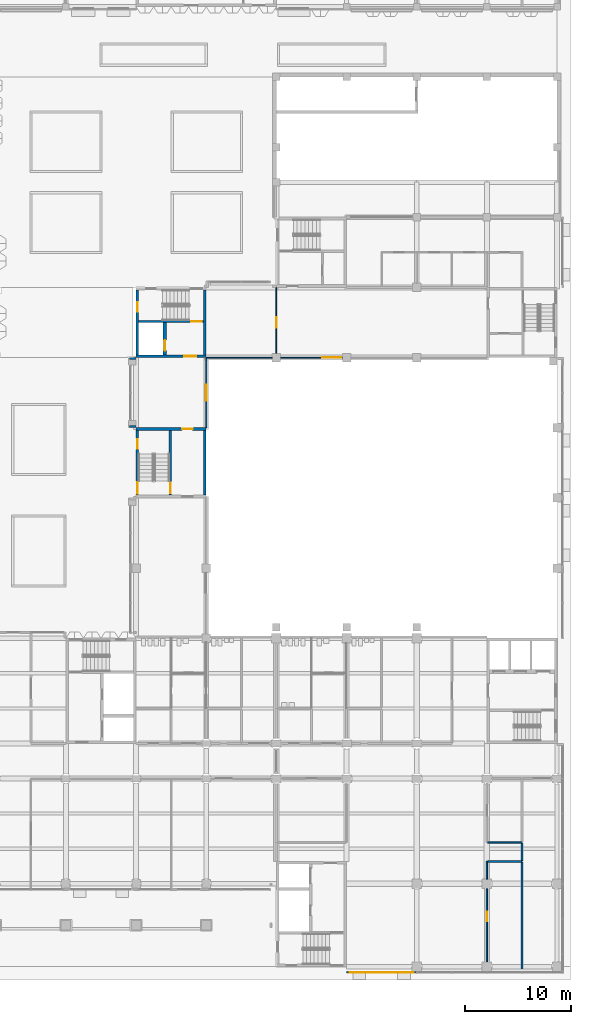
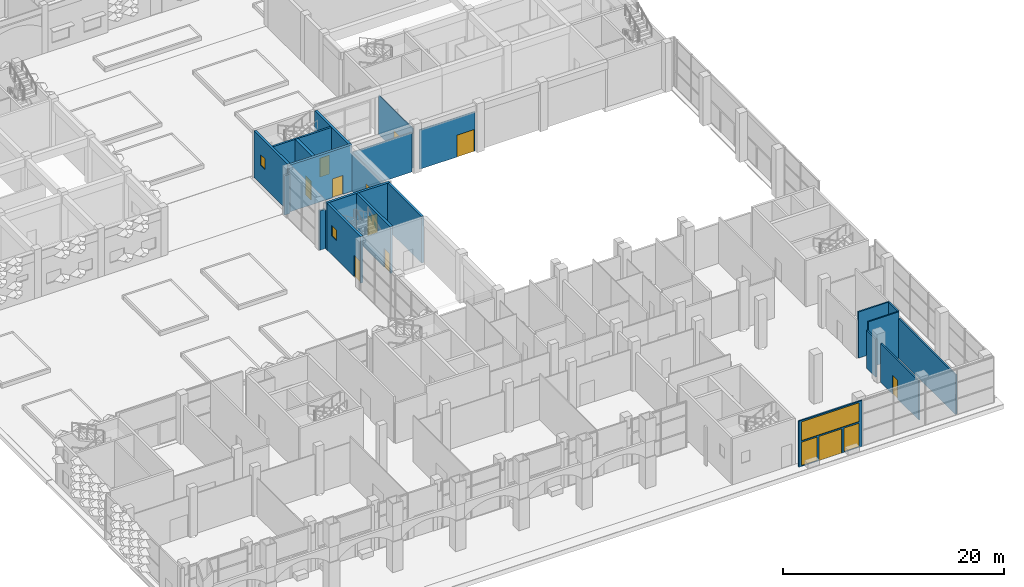
# One storey, part 32 of 85: 22 walls, 11 doors, 5 windows, 16 openings.
"""IFC4 building model written with IfcOpenShell, lengths in metres."""

from ifc_helpers import new_model, si_unit, direction, frame, frame_2d, origin, place, context, subcontext, project, spatial, rectangle, extrude, material, layer, layer_set, type_object, element, fill, save


model = new_model("IFC4")

# Units and contexts
model_context = context("Model", 3, precision=1e-05, world=origin(), true_north=direction((0.0, 1.0)))
body_context = subcontext(model_context, "Body", "Model", "MODEL_VIEW")
ifc_project = project(units=[si_unit("LENGTHUNIT", "METRE"), si_unit("AREAUNIT", "SQUARE_METRE"), si_unit("VOLUMEUNIT", "CUBIC_METRE"), si_unit("PLANEANGLEUNIT", "RADIAN"), si_unit("MASSUNIT", "GRAM", prefix="KILO")], contexts=[model_context])

# Site, building, storey
site_placement = place(None, origin())
site = spatial("IfcSite", under=ifc_project, at=site_placement, CompositionType="ELEMENT")
building_placement = place(site_placement, origin())
building = spatial("IfcBuilding", under=site, at=building_placement, Name="Lantern Court Research Institute", CompositionType="ELEMENT")
storey_placement = place(building_placement, origin())
storey = spatial("IfcBuildingStorey", under=building, at=storey_placement, Name="L00", CompositionType="ELEMENT", Elevation=0.0)

# Wall, openings, windows, door
ifc_material_1 = material(Name="Aluminium alloy 6063-T6", Category="aluminium")
ifc_layer_1 = layer(ifc_material_1, 0.14990234375)
ifc_layer_set_1 = layer_set([ifc_layer_1], Name="Aluminium alloy 6063-T6")
wall_type_1 = type_object("IfcWallType", Name="Entrance screen wall 150 aluminium", PredefinedType="STANDARD", material=ifc_layer_set_1)
wall_1_placement = place(storey_placement, frame((66.0, -8.324951171875, 0.0), z_axis=(0.0, 0.0, 1.0), x_axis=(-1.0, 0.0, 0.0)))
wall_1 = element("IfcWall", 1, at=wall_1_placement, inside=storey, type_object=wall_type_1, Name="Exterior wall EW046", PredefinedType="STANDARD", context=body_context, shape_type="SweptSolid", body=[
    extrude(rectangle(XDim=6.60009765625, YDim=0.14990234375, at=frame_2d((3.300048828125, 0.0))), origin(), (0.0, 0.0, 1.0), 5.10009765625),
])
opening_1_placement = place(wall_1_placement, frame((2.10009765625, 0.0, 0.0)))
opening_1 = element("IfcOpeningElement", 2, at=opening_1_placement, cuts=wall_1, Name="Opening D5081", PredefinedType="OPENING", context=body_context, shape_type="SweptSolid", body=[
    extrude(rectangle(XDim=2.39990234375, YDim=2.699951171875, at=frame_2d((1.199951171875, 1.35009765625))), frame((0.0, 0.0849609375, 0.0), z_axis=(0.0, -1.0, 0.0), x_axis=(1.0, 0.0, 0.0)), (0.0, 0.0, 1.0), 0.169921875),
])
opening_2_placement = place(wall_1_placement, frame((4.699951171875, 0.0, 0.10009765625)))
opening_2 = element("IfcOpeningElement", 3, at=opening_2_placement, cuts=wall_1, Name="Opening W11", PredefinedType="OPENING", context=body_context, shape_type="SweptSolid", body=[
    extrude(rectangle(XDim=1.60009765625, YDim=2.60009765625, at=frame_2d((0.800048828125, 1.300048828125))), frame((0.0, 0.0849609375, 0.0), z_axis=(0.0, -1.0, 0.0), x_axis=(1.0, 0.0, 0.0)), (0.0, 0.0, 1.0), 0.169921875),
])
opening_3_placement = place(wall_1_placement, frame((0.300048828125, 0.0, 0.10009765625)))
opening_3 = element("IfcOpeningElement", 4, at=opening_3_placement, cuts=wall_1, Name="Opening W11", PredefinedType="OPENING", context=body_context, shape_type="SweptSolid", body=[
    extrude(rectangle(XDim=1.60009765625, YDim=2.60009765625, at=frame_2d((0.800048828125, 1.300048828125))), frame((0.0, 0.0849609375, 0.0), z_axis=(0.0, -1.0, 0.0), x_axis=(1.0, 0.0, 0.0)), (0.0, 0.0, 1.0), 0.169921875),
])
opening_4_placement = place(wall_1_placement, frame((0.300048828125, 0.0, 2.85009765625)))
opening_4 = element("IfcOpeningElement", 5, at=opening_4_placement, cuts=wall_1, Name="Opening W12", PredefinedType="OPENING", context=body_context, shape_type="SweptSolid", body=[
    extrude(rectangle(XDim=6.0, YDim=2.10009765625, at=frame_2d((3.0, 1.050048828125))), frame((0.0, 0.0849609375, 0.0), z_axis=(0.0, -1.0, 0.0), x_axis=(1.0, 0.0, 0.0)), (0.0, 0.0, 1.0), 0.169921875),
])
ifc_material_2 = material(Name="Aluminium frame with laminated low-emissivity glazing", Category="aluminium")
window_type_1 = type_object("IfcWindowType", Name="Entrance clerestory 6000 x 2100", PartitioningType="SINGLE_PANEL", PredefinedType="WINDOW", material=ifc_material_2)
window_1_placement = place(opening_4_placement, origin())
window_1 = element("IfcWindow", 6, at=window_1_placement, inside=storey, type_object=window_type_1, Name="Window W12 V5S L00", OverallHeight=2.10009765625, OverallWidth=6.0, PartitioningType="SINGLE_PANEL", PredefinedType="WINDOW", context=body_context, shape_type="SweptSolid", body=[
    extrude(rectangle(XDim=6.0, YDim=2.10009765625, at=frame_2d((3.0, 1.050048828125))), frame((0.0, 0.030029296875, 0.0), z_axis=(0.0, -1.0, 0.0), x_axis=(1.0, 0.0, 0.0)), (0.0, 0.0, 1.0), 0.06005859375),
])
fill(opening_4, window_1)
ifc_material_3 = material(Name="Aluminium frame with laminated glass", Category="aluminium")
door_type_1 = type_object("IfcDoorType", Name="Entrance door pair 2400 x 2700 aluminium glazed", OperationType="NOTDEFINED", PredefinedType="DOOR", material=ifc_material_3)
door_1_placement = place(opening_1_placement, origin())
door_1 = element("IfcDoor", 7, at=door_1_placement, inside=storey, type_object=door_type_1, Name="Exterior door D5081", OperationType="DOUBLE_DOOR_SINGLE_SWING", OverallHeight=2.699951171875, OverallWidth=2.39990234375, PredefinedType="DOOR", context=body_context, shape_type="SweptSolid", body=[
    extrude(rectangle(XDim=2.39990234375, YDim=2.699951171875, at=frame_2d((1.199951171875, 1.35009765625))), frame((0.0, 0.02490234375, 0.0), z_axis=(0.0, -1.0, 0.0), x_axis=(1.0, 0.0, 0.0)), (0.0, 0.0, 1.0), 0.050048828125),
])
fill(opening_1, door_1)
ifc_material_4 = material(Name="Aluminium frame with laminated low-emissivity glazing", Category="aluminium")
window_type_2 = type_object("IfcWindowType", Name="Entrance sidelight 1600 x 2600", PartitioningType="SINGLE_PANEL", PredefinedType="WINDOW", material=ifc_material_4)
window_2_placement = place(opening_2_placement, origin())
window_2 = element("IfcWindow", 8, at=window_2_placement, inside=storey, type_object=window_type_2, Name="Window W11 V5S L00", OverallHeight=2.60009765625, OverallWidth=1.60009765625, PartitioningType="SINGLE_PANEL", PredefinedType="WINDOW", context=body_context, shape_type="SweptSolid", body=[
    extrude(rectangle(XDim=1.60009765625, YDim=2.60009765625, at=frame_2d((0.800048828125, 1.300048828125))), frame((0.0, 0.030029296875, 0.0), z_axis=(0.0, -1.0, 0.0), x_axis=(1.0, 0.0, 0.0)), (0.0, 0.0, 1.0), 0.06005859375),
])
fill(opening_2, window_2)
window_3_placement = place(opening_3_placement, origin())
window_3 = element("IfcWindow", 9, at=window_3_placement, inside=storey, type_object=window_type_2, Name="Window W11 V5S L00", OverallHeight=2.60009765625, OverallWidth=1.60009765625, PartitioningType="SINGLE_PANEL", PredefinedType="WINDOW", context=body_context, shape_type="SweptSolid", body=[
    extrude(rectangle(XDim=1.60009765625, YDim=2.60009765625, at=frame_2d((0.800048828125, 1.300048828125))), frame((0.0, 0.030029296875, 0.0), z_axis=(0.0, -1.0, 0.0), x_axis=(1.0, 0.0, 0.0)), (0.0, 0.0, 1.0), 0.06005859375),
])
fill(opening_3, window_3)

# Wall
ifc_material_5 = material(Name="Fire-resistant laminated glass in aluminium frame", Category="aluminium")
ifc_layer_2 = layer(ifc_material_5, 0.10009765625)
ifc_layer_set_2 = layer_set([ifc_layer_2], Name="Fire-resistant laminated glass in aluminium frame")
wall_type_2 = type_object("IfcWallType", Name="Glazed screen 100 mm EI 60", PredefinedType="PARTITIONING", material=ifc_layer_set_2)
wall_2_placement = place(storey_placement, frame((46.199951171875, 49.5, 0.0), z_axis=(0.0, 0.0, 1.0), x_axis=(1.0, 0.0, 0.0)))
element("IfcWall", 10, at=wall_2_placement, inside=storey, type_object=wall_type_2, Name="Wall V2-L00-006", PredefinedType="PARTITIONING", context=body_context, shape_type="SweptSolid", body=[
    extrude(rectangle(XDim=6.199951171875, YDim=0.10009765625, at=frame_2d((3.10009765625, 0.0))), origin(), (0.0, 0.0, 1.0), 4.35009765625),
])

# Wall, opening, door
wall_3_placement = place(storey_placement, frame((59.0, 49.5, 0.0), z_axis=(0.0, 0.0, 1.0), x_axis=(-1.0, 0.0, 0.0)))
wall_3 = element("IfcWall", 11, at=wall_3_placement, inside=storey, type_object=wall_type_2, Name="Wall V2-L00-007", PredefinedType="PARTITIONING", context=body_context, shape_type="SweptSolid", body=[
    extrude(rectangle(XDim=5.800048828125, YDim=0.10009765625, at=frame_2d((2.89990234375, 0.0))), origin(), (0.0, 0.0, 1.0), 4.35009765625),
])
opening_5_placement = place(wall_3_placement, frame((0.10009765625, 0.0, 0.0)))
opening_5 = element("IfcOpeningElement", 12, at=opening_5_placement, cuts=wall_3, Name="Opening D2001", PredefinedType="OPENING", context=body_context, shape_type="SweptSolid", body=[
    extrude(rectangle(XDim=1.800048828125, YDim=2.39990234375, at=frame_2d((0.89990234375, 1.199951171875))), frame((0.0, 0.06005859375, 0.0), z_axis=(0.0, -1.0, 0.0), x_axis=(1.0, 0.0, 0.0)), (0.0, 0.0, 1.0), 0.1201171875),
])
ifc_material_6 = material(Name="Fire-resistant glazed aluminium door leaf", Category="aluminium")
door_type_2 = type_object("IfcDoorType", Name="Door 1800 x 2400 glazed screen pair FD30S", OperationType="DOUBLE_DOOR_SINGLE_SWING", PredefinedType="DOOR", material=ifc_material_6)
door_2_placement = place(opening_5_placement, origin())
door_2 = element("IfcDoor", 13, at=door_2_placement, inside=storey, type_object=door_type_2, Name="Door D2001", OperationType="DOUBLE_DOOR_SINGLE_SWING", OverallHeight=2.39990234375, OverallWidth=1.800048828125, PredefinedType="DOOR", context=body_context, shape_type="SweptSolid", body=[
    extrude(rectangle(XDim=1.800048828125, YDim=2.39990234375, at=frame_2d((0.89990234375, 1.199951171875))), frame((0.0, 0.02490234375, 0.0), z_axis=(0.0, -1.0, 0.0), x_axis=(1.0, 0.0, 0.0)), (0.0, 0.0, 1.0), 0.050048828125),
])
fill(opening_5, door_2)

wall_4_placement = place(storey_placement, frame((46.199951171875, 42.89990234375, 0.0), z_axis=(0.0, 0.0, 1.0), x_axis=(0.0, 1.0, 0.0)))
wall_4 = element("IfcWall", 14, at=wall_4_placement, inside=storey, type_object=wall_type_2, Name="Wall V2-L00-012", PredefinedType="PARTITIONING", context=body_context, shape_type="SweptSolid", body=[
    extrude(rectangle(XDim=6.550048828125, YDim=0.10009765625, at=frame_2d((3.27490234375, 0.0))), origin(), (0.0, 0.0, 1.0), 4.35009765625),
])
opening_6_placement = place(wall_4_placement, frame((2.550048828125, 0.0, 0.0)))
opening_6 = element("IfcOpeningElement", 15, at=opening_6_placement, cuts=wall_4, Name="Opening D2003", PredefinedType="OPENING", context=body_context, shape_type="SweptSolid", body=[
    extrude(rectangle(XDim=1.5, YDim=2.39990234375, at=frame_2d((0.75, 1.199951171875))), frame((0.0, 0.06005859375, 0.0), z_axis=(0.0, -1.0, 0.0), x_axis=(1.0, 0.0, 0.0)), (0.0, 0.0, 1.0), 0.1201171875),
])
ifc_material_7 = material(Name="Fire-resistant glazed aluminium door leaf", Category="aluminium")
door_type_3 = type_object("IfcDoorType", Name="Door 1500 x 2400 glazed screen pair FD30S", OperationType="DOUBLE_DOOR_SINGLE_SWING", PredefinedType="DOOR", material=ifc_material_7)
door_3_placement = place(opening_6_placement, origin())
door_3 = element("IfcDoor", 16, at=door_3_placement, inside=storey, type_object=door_type_3, Name="Door D2003", OperationType="DOUBLE_DOOR_SINGLE_SWING", OverallHeight=2.39990234375, OverallWidth=1.5, PredefinedType="DOOR", context=body_context, shape_type="SweptSolid", body=[
    extrude(rectangle(XDim=1.5, YDim=2.39990234375, at=frame_2d((0.75, 1.199951171875))), frame((0.0, 0.02490234375, 0.0), z_axis=(0.0, -1.0, 0.0), x_axis=(1.0, 0.0, 0.0)), (0.0, 0.0, 1.0), 0.050048828125),
])
fill(opening_6, door_3)

wall_5_placement = place(storey_placement, frame((52.800048828125, 49.89990234375, 0.0), z_axis=(0.0, 0.0, 1.0), x_axis=(0.0, 1.0, 0.0)))
wall_5 = element("IfcWall", 17, at=wall_5_placement, inside=storey, type_object=wall_type_2, Name="Wall V2-L00-013", PredefinedType="PARTITIONING", context=body_context, shape_type="SweptSolid", body=[
    extrude(rectangle(XDim=6.2001953125, YDim=0.10009765625, at=frame_2d((3.10009765625, 0.0))), origin(), (0.0, 0.0, 1.0), 4.35009765625),
])
opening_7_placement = place(wall_5_placement, frame((2.39990234375, 0.0, 0.0)))
opening_7 = element("IfcOpeningElement", 18, at=opening_7_placement, cuts=wall_5, Name="Opening D2004", PredefinedType="OPENING", context=body_context, shape_type="SweptSolid", body=[
    extrude(rectangle(XDim=1.0, YDim=2.10009765625, at=frame_2d((0.5, 1.050048828125))), frame((0.0, 0.06005859375, 0.0), z_axis=(0.0, -1.0, 0.0), x_axis=(1.0, 0.0, 0.0)), (0.0, 0.0, 1.0), 0.1201171875),
])
ifc_material_8 = material(Name="Coated metal door leaf")
door_type_4 = type_object("IfcDoorType", Name="Door 1000 x 2100 plant FD60", OperationType="NOTDEFINED", PredefinedType="DOOR", material=ifc_material_8)
door_4_placement = place(opening_7_placement, origin())
door_4 = element("IfcDoor", 19, at=door_4_placement, inside=storey, type_object=door_type_4, Name="Door D2004", OperationType="SINGLE_SWING_LEFT", OverallHeight=2.10009765625, OverallWidth=1.0, PredefinedType="DOOR", context=body_context, shape_type="SweptSolid", body=[
    extrude(rectangle(XDim=1.0, YDim=2.10009765625, at=frame_2d((0.5, 1.050048828125))), frame((0.0, 0.02490234375, 0.0), z_axis=(0.0, -1.0, 0.0), x_axis=(1.0, 0.0, 0.0)), (0.0, 0.0, 1.0), 0.050048828125),
])
fill(opening_7, door_4)

ifc_material_9 = material(Name="Fire-rated gypsum board partition, mineral wool filled")
ifc_layer_3 = layer(ifc_material_9, 0.14990234375)
ifc_layer_set_3 = layer_set([ifc_layer_3], Name="Fire-rated gypsum board partition, mineral wool filled")
wall_type_3 = type_object("IfcWallType", Name="Laboratory partition 150 EI 60", PredefinedType="PARTITIONING", material=ifc_layer_set_3)
wall_6_placement = place(storey_placement, frame((72.60009765625, -0.449951171875, 0.0), z_axis=(0.0, 0.0, 1.0), x_axis=(0.0, -1.0, 0.0)))
wall_6 = element("IfcWall", 20, at=wall_6_placement, inside=storey, type_object=wall_type_3, Name="Laboratory partition 150 EI 60", PredefinedType="PARTITIONING", context=body_context, shape_type="SweptSolid", body=[
    extrude(rectangle(XDim=6.900146484375, YDim=0.14990234375, at=frame_2d((3.4501953125, 0.0))), origin(), (0.0, 0.0, 1.0), 4.300048828125),
])
opening_8_placement = place(wall_6_placement, frame((2.175048828125, 0.0, 0.0)))
opening_8 = element("IfcOpeningElement", 21, at=opening_8_placement, cuts=wall_6, Name="Opening D5002", PredefinedType="OPENING", context=body_context, shape_type="SweptSolid", body=[
    extrude(rectangle(XDim=0.89990234375, YDim=2.10009765625, at=frame_2d((0.449951171875, 1.050048828125))), frame((0.0, 0.0849609375, 0.0), z_axis=(0.0, -1.0, 0.0), x_axis=(1.0, 0.0, 0.0)), (0.0, 0.0, 1.0), 0.169921875),
])
ifc_material_10 = material(Name="Solid-core timber door leaf", Category="wood")
ifc_layer_4 = layer(ifc_material_10, 0.053955078125)
ifc_layer_set_4 = layer_set([ifc_layer_4], Name="Solid-core timber door leaf")
door_type_5 = type_object("IfcDoorType", Name="Security door 900 x 2100 single FD30S", OperationType="NOTDEFINED", PredefinedType="DOOR", material=ifc_layer_set_4)
door_5_placement = place(opening_8_placement, origin())
door_5 = element("IfcDoor", 22, at=door_5_placement, inside=storey, type_object=door_type_5, Name="Door D5002", OperationType="SINGLE_SWING_RIGHT", OverallHeight=2.10009765625, OverallWidth=0.89990234375, PredefinedType="DOOR", context=body_context, shape_type="SweptSolid", body=[
    extrude(rectangle(XDim=0.89990234375, YDim=2.10009765625, at=frame_2d((0.449951171875, 1.050048828125))), frame((0.0, 0.02685546875, 0.0), z_axis=(0.0, -1.0, 0.0), x_axis=(1.0, 0.0, 0.0)), (0.0, 0.0, 1.0), 0.053955078125),
])
fill(opening_8, door_5)

# Walls
wall_7_placement = place(storey_placement, frame((72.60009765625, 0.449951171875, 0.0), z_axis=(0.0, 0.0, 1.0), x_axis=(0.0, 1.0, 0.0)))
element("IfcWall", 23, at=wall_7_placement, inside=storey, type_object=wall_type_3, Name="Laboratory partition 150 EI 60", PredefinedType="PARTITIONING", context=body_context, shape_type="SweptSolid", body=[
    extrude(rectangle(XDim=1.650146484375, YDim=0.14990234375, at=frame_2d((0.8251953125, 0.0))), origin(), (0.0, 0.0, 1.0), 4.199951171875),
])
wall_8_placement = place(storey_placement, frame((75.89990234375, 2.10009765625, 0.0), z_axis=(0.0, 0.0, 1.0), x_axis=(-1.0, 0.0, 0.0)))
element("IfcWall", 24, at=wall_8_placement, inside=storey, type_object=wall_type_3, Name="Laboratory partition 150 EI 60", PredefinedType="PARTITIONING", context=body_context, shape_type="SweptSolid", body=[
    extrude(rectangle(XDim=3.224853515625, YDim=0.14990234375, at=frame_2d((1.6123046875, 0.0))), origin(), (0.0, 0.0, 1.0), 5.10009765625),
])
wall_9_placement = place(storey_placement, frame((75.89990234375, -8.25, 0.0), z_axis=(0.0, 0.0, 1.0), x_axis=(0.0, 1.0, 0.0)))
element("IfcWall", 25, at=wall_9_placement, inside=storey, type_object=wall_type_3, Name="Laboratory partition 150 EI 60", PredefinedType="PARTITIONING", context=body_context, shape_type="SweptSolid", body=[
    extrude(rectangle(XDim=10.27490234375, YDim=0.14990234375, at=frame_2d((5.137451171875, 0.0))), origin(), (0.0, 0.0, 1.0), 4.39990234375),
])
wall_10_placement = place(storey_placement, frame((75.89990234375, 3.89990234375, 0.0), z_axis=(0.0, 0.0, 1.0), x_axis=(-1.0, 0.0, 0.0)))
element("IfcWall", 26, at=wall_10_placement, inside=storey, type_object=wall_type_3, Name="Laboratory partition 150 EI 60", PredefinedType="PARTITIONING", context=body_context, shape_type="SweptSolid", body=[
    extrude(rectangle(XDim=3.224853515625, YDim=0.14990234375, at=frame_2d((1.6123046875, 0.0))), origin(), (0.0, 0.0, 1.0), 5.10009765625),
])
wall_11_placement = place(storey_placement, frame((75.89990234375, 2.175048828125, 0.0), z_axis=(0.0, 0.0, 1.0), x_axis=(0.0, 1.0, 0.0)))
element("IfcWall", 27, at=wall_11_placement, inside=storey, type_object=wall_type_3, Name="Laboratory partition 150 EI 60", PredefinedType="PARTITIONING", context=body_context, shape_type="SweptSolid", body=[
    extrude(rectangle(XDim=1.64990234375, YDim=0.14990234375, at=frame_2d((0.824951171875, 0.0))), origin(), (0.0, 0.0, 1.0), 5.10009765625),
])

# Wall, opening, door
ifc_material_11 = material(Name="Concrete C40/50", Category="concrete")
ifc_layer_5 = layer(ifc_material_11, 0.25)
ifc_layer_set_5 = layer_set([ifc_layer_5], Name="Concrete C40/50")
wall_type_4 = type_object("IfcWallType", Name="RC core wall 250", PredefinedType="SHEAR", material=ifc_layer_set_5)
wall_12_placement = place(storey_placement, frame((39.60009765625, 49.625, 0.0), z_axis=(0.0, 0.0, 1.0), x_axis=(1.0, 0.0, 0.0)))
wall_12 = element("IfcWall", 28, at=wall_12_placement, inside=storey, type_object=wall_type_4, Name="South wall of core HC-A", PredefinedType="SHEAR", context=body_context, shape_type="SweptSolid", body=[
    extrude(rectangle(XDim=6.599853515625, YDim=0.25, at=frame_2d((3.2998046875, 0.0))), origin(), (0.0, 0.0, 1.0), 5.14990234375),
])
opening_9_placement = place(wall_12_placement, frame((4.550048828125, 0.0, 0.0)))
opening_9 = element("IfcOpeningElement", 29, at=opening_9_placement, cuts=wall_12, Name="Opening D7303", PredefinedType="OPENING", context=body_context, shape_type="SweptSolid", body=[
    extrude(rectangle(XDim=1.10009765625, YDim=2.10009765625, at=frame_2d((0.550048828125, 1.050048828125))), frame((0.0, 0.135009765625, 0.0), z_axis=(0.0, -1.0, 0.0), x_axis=(1.0, 0.0, 0.0)), (0.0, 0.0, 1.0), 0.27001953125),
])
ifc_material_12 = material(Name="Steel fire door leaf with smoke seals", Category="steel")
door_type_6 = type_object("IfcDoorType", Name="Door 1100 x 2100 fire rated FD60S", OperationType="NOTDEFINED", PredefinedType="DOOR", material=ifc_material_12)
door_6_placement = place(opening_9_placement, origin())
door_6 = element("IfcDoor", 30, at=door_6_placement, inside=storey, type_object=door_type_6, Name="Lobby door", OperationType="SINGLE_SWING_LEFT", OverallHeight=2.10009765625, OverallWidth=1.10009765625, PredefinedType="DOOR", context=body_context, shape_type="SweptSolid", body=[
    extrude(rectangle(XDim=1.10009765625, YDim=2.10009765625, at=frame_2d((0.550048828125, 1.050048828125))), frame((0.0, 0.02490234375, 0.0), z_axis=(0.0, -1.0, 0.0), x_axis=(1.0, 0.0, 0.0)), (0.0, 0.0, 1.0), 0.050048828125),
])
fill(opening_9, door_6)

# Wall
wall_13_placement = place(storey_placement, frame((46.074951171875, 49.75, 0.0), z_axis=(0.0, 0.0, 1.0), x_axis=(0.0, 1.0, 0.0)))
element("IfcWall", 31, at=wall_13_placement, inside=storey, type_object=wall_type_4, Name="East wall of core HC-A", PredefinedType="SHEAR", context=body_context, shape_type="SweptSolid", body=[
    extrude(rectangle(XDim=6.10009765625, YDim=0.25, at=frame_2d((3.050048828125, 0.0))), origin(), (0.0, 0.0, 1.0), 5.14990234375),
])

# Wall, opening, door
wall_14_placement = place(storey_placement, frame((39.60009765625, 42.77490234375, 0.0), z_axis=(0.0, 0.0, 1.0), x_axis=(1.0, 0.0, 0.0)))
wall_14 = element("IfcWall", 32, at=wall_14_placement, inside=storey, type_object=wall_type_4, Name="North wall of core HC-C", PredefinedType="SHEAR", context=body_context, shape_type="SweptSolid", body=[
    extrude(rectangle(XDim=6.599853515625, YDim=0.25, at=frame_2d((3.2998046875, 0.0))), origin(), (0.0, 0.0, 1.0), 5.14990234375),
])
opening_10_placement = place(wall_14_placement, frame((4.324951171875, 0.0, 0.0)))
opening_10 = element("IfcOpeningElement", 33, at=opening_10_placement, cuts=wall_14, Name="Opening D7324", PredefinedType="OPENING", context=body_context, shape_type="SweptSolid", body=[
    extrude(rectangle(XDim=1.0, YDim=2.10009765625, at=frame_2d((0.5, 1.050048828125))), frame((0.0, 0.135009765625, 0.0), z_axis=(0.0, -1.0, 0.0), x_axis=(1.0, 0.0, 0.0)), (0.0, 0.0, 1.0), 0.27001953125),
])
ifc_material_13 = material(Name="Steel fire door leaf with smoke seals", Category="steel")
door_type_7 = type_object("IfcDoorType", Name="Door 1000 x 2100 fire rated FD60S", OperationType="NOTDEFINED", PredefinedType="DOOR", material=ifc_material_13)
door_7_placement = place(opening_10_placement, origin())
door_7 = element("IfcDoor", 34, at=door_7_placement, inside=storey, type_object=door_type_7, Name="Lobby door", OperationType="SINGLE_SWING_RIGHT", OverallHeight=2.10009765625, OverallWidth=1.0, PredefinedType="DOOR", context=body_context, shape_type="SweptSolid", body=[
    extrude(rectangle(XDim=1.0, YDim=2.10009765625, at=frame_2d((0.5, 1.050048828125))), frame((0.0, 0.02490234375, 0.0), z_axis=(0.0, -1.0, 0.0), x_axis=(1.0, 0.0, 0.0)), (0.0, 0.0, 1.0), 0.050048828125),
])
fill(opening_10, door_7)

# Wall
wall_15_placement = place(storey_placement, frame((46.074951171875, 36.550048828125, 0.0), z_axis=(0.0, 0.0, 1.0), x_axis=(0.0, 1.0, 0.0)))
element("IfcWall", 35, at=wall_15_placement, inside=storey, type_object=wall_type_4, Name="East wall of core HC-C", PredefinedType="SHEAR", context=body_context, shape_type="SweptSolid", body=[
    extrude(rectangle(XDim=6.099853515625, YDim=0.25, at=frame_2d((3.0498046875, 0.0))), origin(), (0.0, 0.0, 1.0), 5.14990234375),
])

# Wall, opening, window
ifc_material_14 = material(Name="Concrete C40/50", Category="concrete")
ifc_layer_6 = layer(ifc_material_14, 0.25)
ifc_layer_set_6 = layer_set([ifc_layer_6], Name="Concrete C40/50")
wall_type_5 = type_object("IfcWallType", Name="RC core wall 250 facade", PredefinedType="SHEAR", material=ifc_layer_set_6)
wall_16_placement = place(storey_placement, frame((39.72509765625, 49.75, 0.0), z_axis=(0.0, 0.0, 1.0), x_axis=(0.0, 1.0, 0.0)))
wall_16 = element("IfcWall", 36, at=wall_16_placement, inside=storey, type_object=wall_type_5, Name="West wall of core HC-A", PredefinedType="SHEAR", context=body_context, shape_type="SweptSolid", body=[
    extrude(rectangle(XDim=6.10009765625, YDim=0.25, at=frame_2d((3.050048828125, 0.0))), origin(), (0.0, 0.0, 1.0), 5.14990234375),
])
opening_11_placement = place(wall_16_placement, frame((4.050048828125, 0.0, 2.050048828125)))
opening_11 = element("IfcOpeningElement", 37, at=opening_11_placement, cuts=wall_16, Name="Opening W6", PredefinedType="OPENING", context=body_context, shape_type="SweptSolid", body=[
    extrude(rectangle(XDim=0.89990234375, YDim=1.199951171875, at=frame_2d((0.449951171875, 0.60009765625))), frame((0.0, 0.135009765625, 0.0), z_axis=(0.0, -1.0, 0.0), x_axis=(1.0, 0.0, 0.0)), (0.0, 0.0, 1.0), 0.27001953125),
])
ifc_material_15 = material(Name="Aluminium alloy 6063-T6 frame with laminated glass", Category="aluminium")
window_type_3 = type_object("IfcWindowType", Name="Stair window 900 x 1200", PartitioningType="SINGLE_PANEL", PredefinedType="WINDOW", material=ifc_material_15)
window_4_placement = place(opening_11_placement, origin())
window_4 = element("IfcWindow", 38, at=window_4_placement, inside=storey, type_object=window_type_3, Name="Stair window", OverallHeight=1.199951171875, OverallWidth=0.89990234375, PartitioningType="SINGLE_PANEL", PredefinedType="WINDOW", context=body_context, shape_type="SweptSolid", body=[
    extrude(rectangle(XDim=0.89990234375, YDim=1.199951171875, at=frame_2d((0.449951171875, 0.60009765625))), frame((0.0, 0.030029296875, 0.0), z_axis=(0.0, -1.0, 0.0), x_axis=(1.0, 0.0, 0.0)), (0.0, 0.0, 1.0), 0.06005859375),
])
fill(opening_11, window_4)

# Wall, openings, door, window
wall_17_placement = place(storey_placement, frame((39.72509765625, 36.550048828125, 0.0), z_axis=(0.0, 0.0, 1.0), x_axis=(0.0, 1.0, 0.0)))
wall_17 = element("IfcWall", 39, at=wall_17_placement, inside=storey, type_object=wall_type_5, Name="West wall of core HC-C", PredefinedType="SHEAR", context=body_context, shape_type="SweptSolid", body=[
    extrude(rectangle(XDim=6.099853515625, YDim=0.25, at=frame_2d((3.0498046875, 0.0))), origin(), (0.0, 0.0, 1.0), 5.14990234375),
])
opening_12_placement = place(wall_17_placement, frame((0.125, 0.0, 0.0)))
opening_12 = element("IfcOpeningElement", 40, at=opening_12_placement, cuts=wall_17, Name="Opening D7326", PredefinedType="OPENING", context=body_context, shape_type="SweptSolid", body=[
    extrude(rectangle(XDim=1.10009765625, YDim=2.39990234375, at=frame_2d((0.550048828125, 1.199951171875))), frame((0.0, 0.135009765625, 0.0), z_axis=(0.0, -1.0, 0.0), x_axis=(1.0, 0.0, 0.0)), (0.0, 0.0, 1.0), 0.27001953125),
])
opening_13_placement = place(wall_17_placement, frame((4.360107421875, 0.0, 2.050048828125)))
opening_13 = element("IfcOpeningElement", 41, at=opening_13_placement, cuts=wall_17, Name="Opening W6", PredefinedType="OPENING", context=body_context, shape_type="SweptSolid", body=[
    extrude(rectangle(XDim=0.89990234375, YDim=1.199951171875, at=frame_2d((0.449951171875, 0.60009765625))), frame((0.0, 0.135009765625, 0.0), z_axis=(0.0, -1.0, 0.0), x_axis=(1.0, 0.0, 0.0)), (0.0, 0.0, 1.0), 0.27001953125),
])
ifc_material_16 = material(Name="Steel fire door leaf with smoke seals", Category="steel")
door_type_8 = type_object("IfcDoorType", Name="Door 1100 x 2400 fire rated FD60S", OperationType="NOTDEFINED", PredefinedType="DOOR", material=ifc_material_16)
door_8_placement = place(opening_12_placement, origin())
door_8 = element("IfcDoor", 42, at=door_8_placement, inside=storey, type_object=door_type_8, Name="Stair exit door", OperationType="SINGLE_SWING_RIGHT", OverallHeight=2.39990234375, OverallWidth=1.10009765625, PredefinedType="DOOR", context=body_context, shape_type="SweptSolid", body=[
    extrude(rectangle(XDim=1.10009765625, YDim=2.39990234375, at=frame_2d((0.550048828125, 1.199951171875))), frame((0.0, 0.02490234375, 0.0), z_axis=(0.0, -1.0, 0.0), x_axis=(1.0, 0.0, 0.0)), (0.0, 0.0, 1.0), 0.050048828125),
])
fill(opening_12, door_8)
window_5_placement = place(opening_13_placement, origin())
window_5 = element("IfcWindow", 43, at=window_5_placement, inside=storey, type_object=window_type_3, Name="Stair window", OverallHeight=1.199951171875, OverallWidth=0.89990234375, PartitioningType="SINGLE_PANEL", PredefinedType="WINDOW", context=body_context, shape_type="SweptSolid", body=[
    extrude(rectangle(XDim=0.89990234375, YDim=1.199951171875, at=frame_2d((0.449951171875, 0.60009765625))), frame((0.0, 0.030029296875, 0.0), z_axis=(0.0, -1.0, 0.0), x_axis=(1.0, 0.0, 0.0)), (0.0, 0.0, 1.0), 0.06005859375),
])
fill(opening_13, window_5)

# Wall, opening, door
ifc_material_17 = material(Name="Concrete C40/50", Category="concrete")
ifc_layer_7 = layer(ifc_material_17, 0.199951171875)
ifc_layer_set_7 = layer_set([ifc_layer_7], Name="Concrete C40/50")
wall_type_6 = type_object("IfcWallType", Name="RC shaft wall 200", PredefinedType="SHEAR", material=ifc_layer_set_7)
wall_18_placement = place(storey_placement, frame((39.85009765625, 52.89990234375, 0.0), z_axis=(0.0, 0.0, 1.0), x_axis=(1.0, 0.0, 0.0)))
wall_18 = element("IfcWall", 44, at=wall_18_placement, inside=storey, type_object=wall_type_6, Name="Stair wall of core HC-A", PredefinedType="SHEAR", context=body_context, shape_type="SweptSolid", body=[
    extrude(rectangle(XDim=6.099853515625, YDim=0.199951171875, at=frame_2d((3.0498046875, 0.0))), origin(), (0.0, 0.0, 1.0), 5.14990234375),
])
opening_14_placement = place(wall_18_placement, frame((4.925048828125, 0.0, 0.0)))
opening_14 = element("IfcOpeningElement", 45, at=opening_14_placement, cuts=wall_18, Name="Opening D7304", PredefinedType="OPENING", context=body_context, shape_type="SweptSolid", body=[
    extrude(rectangle(XDim=1.0, YDim=2.10009765625, at=frame_2d((0.5, 1.050048828125))), frame((0.0, 0.10986328125, 0.0), z_axis=(0.0, -1.0, 0.0), x_axis=(1.0, 0.0, 0.0)), (0.0, 0.0, 1.0), 0.219970703125),
])
door_9_placement = place(opening_14_placement, origin())
door_9 = element("IfcDoor", 46, at=door_9_placement, inside=storey, type_object=door_type_7, Name="Stair door", OperationType="SINGLE_SWING_LEFT", OverallHeight=2.10009765625, OverallWidth=1.0, PredefinedType="DOOR", context=body_context, shape_type="SweptSolid", body=[
    extrude(rectangle(XDim=1.0, YDim=2.10009765625, at=frame_2d((0.5, 1.050048828125))), frame((0.0, 0.02490234375, 0.0), z_axis=(0.0, -1.0, 0.0), x_axis=(1.0, 0.0, 0.0)), (0.0, 0.0, 1.0), 0.050048828125),
])
fill(opening_14, door_9)

ifc_material_18 = material(Name="Concrete C40/50", Category="concrete")
ifc_layer_8 = layer(ifc_material_18, 0.25)
ifc_layer_set_8 = layer_set([ifc_layer_8], Name="Concrete C40/50")
wall_type_7 = type_object("IfcWallType", Name="RC shaft wall 250", PredefinedType="SHEAR", material=ifc_layer_set_8)
wall_19_placement = place(storey_placement, frame((42.824951171875, 36.550048828125, 0.0), z_axis=(0.0, 0.0, 1.0), x_axis=(0.0, 1.0, 0.0)))
wall_19 = element("IfcWall", 47, at=wall_19_placement, inside=storey, type_object=wall_type_7, Name="Stair wall of core HC-C", PredefinedType="SHEAR", context=body_context, shape_type="SweptSolid", body=[
    extrude(rectangle(XDim=6.099853515625, YDim=0.25, at=frame_2d((3.0498046875, 0.0))), origin(), (0.0, 0.0, 1.0), 5.14990234375),
])
opening_15_placement = place(wall_19_placement, frame((0.175048828125, 0.0, 0.0)))
opening_15 = element("IfcOpeningElement", 48, at=opening_15_placement, cuts=wall_19, Name="Opening D7325", PredefinedType="OPENING", context=body_context, shape_type="SweptSolid", body=[
    extrude(rectangle(XDim=1.0, YDim=2.10009765625, at=frame_2d((0.5, 1.050048828125))), frame((0.0, 0.135009765625, 0.0), z_axis=(0.0, -1.0, 0.0), x_axis=(1.0, 0.0, 0.0)), (0.0, 0.0, 1.0), 0.27001953125),
])
door_10_placement = place(opening_15_placement, origin())
door_10 = element("IfcDoor", 49, at=door_10_placement, inside=storey, type_object=door_type_7, Name="Stair door", OperationType="SINGLE_SWING_RIGHT", OverallHeight=2.10009765625, OverallWidth=1.0, PredefinedType="DOOR", context=body_context, shape_type="SweptSolid", body=[
    extrude(rectangle(XDim=1.0, YDim=2.10009765625, at=frame_2d((0.5, 1.050048828125))), frame((0.0, 0.02490234375, 0.0), z_axis=(0.0, -1.0, 0.0), x_axis=(1.0, 0.0, 0.0)), (0.0, 0.0, 1.0), 0.050048828125),
])
fill(opening_15, door_10)

ifc_material_19 = material(Name="Concrete C40/50", Category="concrete")
ifc_layer_9 = layer(ifc_material_19, 0.300048828125)
ifc_layer_set_9 = layer_set([ifc_layer_9], Name="Concrete C40/50")
wall_type_8 = type_object("IfcWallType", Name="RC shaft wall 300", PredefinedType="SHEAR", material=ifc_layer_set_9)
wall_20_placement = place(storey_placement, frame((42.300048828125, 49.75, 0.0), z_axis=(0.0, 0.0, 1.0), x_axis=(0.0, 1.0, 0.0)))
wall_20 = element("IfcWall", 50, at=wall_20_placement, inside=storey, type_object=wall_type_8, Name="Lift shaft wall of core HC-A", PredefinedType="SHEAR", context=body_context, shape_type="SweptSolid", body=[
    extrude(rectangle(XDim=3.050048828125, YDim=0.300048828125, at=frame_2d((1.52490234375, 0.0))), origin(), (0.0, 0.0, 1.0), 5.14990234375),
])
opening_16_placement = place(wall_20_placement, frame((0.39990234375, 0.0, 0.0)))
opening_16 = element("IfcOpeningElement", 51, at=opening_16_placement, cuts=wall_20, Name="Opening D7306", PredefinedType="OPENING", context=body_context, shape_type="SweptSolid", body=[
    extrude(rectangle(XDim=1.0, YDim=2.10009765625, at=frame_2d((0.5, 1.050048828125))), frame((0.0, 0.159912109375, 0.0), z_axis=(0.0, -1.0, 0.0), x_axis=(1.0, 0.0, 0.0)), (0.0, 0.0, 1.0), 0.320068359375),
])
ifc_material_20 = material(Name="Stainless steel landing door panels", Category="steel")
door_type_9 = type_object("IfcDoorType", Name="Lift landing door 1000 x 2100 sliding FD60", OperationType="DOUBLE_DOOR_SLIDING", PredefinedType="NOTDEFINED", material=ifc_material_20)
door_11_placement = place(opening_16_placement, origin())
door_11 = element("IfcDoor", 52, at=door_11_placement, inside=storey, type_object=door_type_9, Name="Landing door", OperationType="DOUBLE_DOOR_SLIDING", OverallHeight=2.10009765625, OverallWidth=1.0, PredefinedType="NOTDEFINED", context=body_context, shape_type="SweptSolid", body=[
    extrude(rectangle(XDim=1.0, YDim=2.10009765625, at=frame_2d((0.5, 1.050048828125))), frame((0.0, 0.02490234375, 0.0), z_axis=(0.0, -1.0, 0.0), x_axis=(1.0, 0.0, 0.0)), (0.0, 0.0, 1.0), 0.050048828125),
])
fill(opening_16, door_11)

# Walls
ifc_material_21 = material(Name="Concrete C40/50", Category="concrete")
ifc_layer_10 = layer(ifc_material_21, 0.199951171875)
ifc_layer_set_10 = layer_set([ifc_layer_10], Name="Concrete C40/50")
wall_type_9 = type_object("IfcWallType", Name="Return wall 200 concrete EI 120 aluminium faced", PredefinedType="STANDARD", material=ifc_layer_set_10)
for number, where, z_axis, x_axis, name in (
    (53, (39.60009765625, 43.0, 0.0), (0.0, 0.0, 1.0), (-1.0, 0.0, 0.0), "Core return wall 04"),
    (54, (39.60009765625, 49.39990234375, 0.0), (0.0, 0.0, 1.0), (-1.0, 0.0, 0.0), "Core return wall 05"),
):
    element("IfcWall", number, at=place(storey_placement, frame(where, z_axis=z_axis, x_axis=x_axis)), inside=storey, type_object=wall_type_9, Name=name, PredefinedType="STANDARD", context=body_context, shape_type="SweptSolid", body=[
        extrude(rectangle(XDim=0.60009765625, YDim=0.199951171875, at=frame_2d((0.300048828125, 0.0))), origin(), (0.0, 0.0, 1.0), 4.35009765625),
    ])

save(model, "model.ifc")
